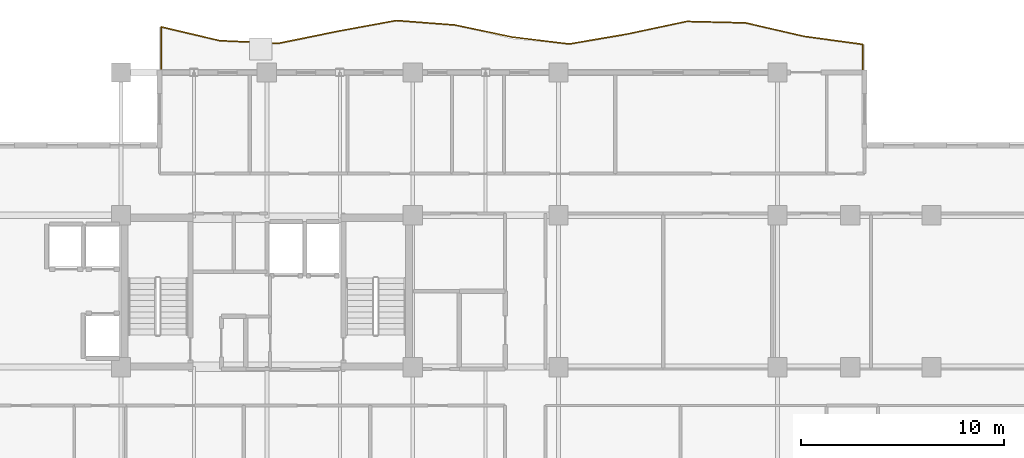
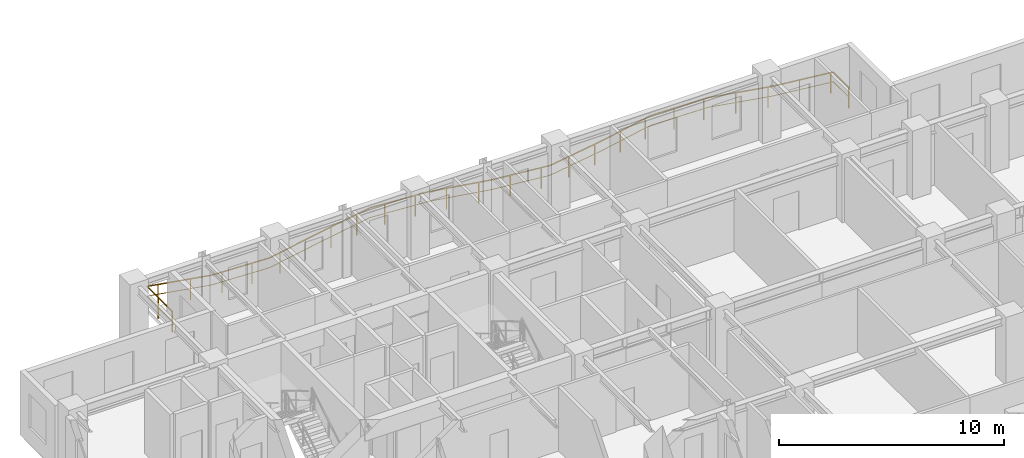
# One storey, part 13 of 13: 1 railing.
"""IFC4 building model written with IfcOpenShell, lengths in metres."""

from ifc_helpers import new_model, si_unit, direction, frame, origin, origin_2d, place, context, subcontext, project, spatial, rectangle, extrude, material, type_object, element, save


model = new_model("IFC4")

# Units and contexts
model_context = context("Model", 3, precision=1e-05, world=origin(), true_north=direction((0.0, 1.0)))
body_context = subcontext(model_context, "Body", "Model", "MODEL_VIEW")
ifc_project = project(units=[si_unit("LENGTHUNIT", "METRE"), si_unit("AREAUNIT", "SQUARE_METRE"), si_unit("VOLUMEUNIT", "CUBIC_METRE"), si_unit("PLANEANGLEUNIT", "RADIAN"), si_unit("MASSUNIT", "GRAM", prefix="KILO")], contexts=[model_context])

# Site, building, storey
site_placement = place(None, origin())
site = spatial("IfcSite", under=ifc_project, at=site_placement, CompositionType="ELEMENT")
building_placement = place(site_placement, origin())
building = spatial("IfcBuilding", under=site, at=building_placement, Name="Kaliganga Portal Commons", CompositionType="ELEMENT")
storey_placement = place(building_placement, frame((0.0, 0.0, 224.0)))
storey = spatial("IfcBuildingStorey", under=building, at=storey_placement, Name="L57", CompositionType="ELEMENT", Elevation=224.0)

# Railing
ifc_material = material(Name="Laminated Safety Glass and Stainless Steel 316", Category="steel")
railing_type = type_object("IfcRailingType", Name="RLG-BAL-1150", PredefinedType="BALUSTRADE", material=ifc_material)
railing_placement = place(storey_placement, frame((51.0205078125, 43.207763671875, 0.0)))
element("IfcRailing", 1, at=railing_placement, inside=storey, type_object=railing_type, Name="Balcony Guardrail L57 balc_north", PredefinedType="BALUSTRADE", context=body_context, shape_type="SweptSolid", body=[
    extrude(rectangle(XDim=0.048095703125, YDim=0.048095703125, at=origin_2d()), frame((0.0, 0.0, 1.1259765625), z_axis=(-0.000354924556, 0.999999937014, 0.0), x_axis=(-0.999999937014, -0.000354924556, 0.0)), (0.0, 0.0, 1.0), 1.375732421875),
    extrude(rectangle(XDim=0.028076171875, YDim=0.028076171875, at=origin_2d()), frame((0.0, 0.0, 0.597900390625), z_axis=(-0.000354924556, 0.999999937014, 0.0), x_axis=(-0.999999937014, -0.000354924556, 0.0)), (0.0, 0.0, 1.0), 1.375732421875),
    extrude(rectangle(XDim=0.048095703125, YDim=0.048095703125, at=origin_2d()), frame((-0.00048828125, 1.375732421875, 1.1259765625), z_axis=(-0.99086060041, 0.134889846006, 0.0), x_axis=(-0.134889846006, -0.99086060041, 0.0)), (0.0, 0.0, 1.0), 2.9267578125),
    extrude(rectangle(XDim=0.028076171875, YDim=0.028076171875, at=origin_2d()), frame((-0.00048828125, 1.375732421875, 0.597900390625), z_axis=(-0.99086060041, 0.134889846006, 0.0), x_axis=(-0.134889846006, -0.99086060041, 0.0)), (0.0, 0.0, 1.0), 2.9267578125),
    extrude(rectangle(XDim=0.048095703125, YDim=0.048095703125, at=origin_2d()), frame((-2.900390625, 1.7705078125, 1.1259765625), z_axis=(-0.974446472687, 0.224619838543, 0.0), x_axis=(-0.224619838543, -0.974446472687, 0.0)), (0.0, 0.0, 1.0), 2.975830078125),
    extrude(rectangle(XDim=0.028076171875, YDim=0.028076171875, at=origin_2d()), frame((-2.900390625, 1.7705078125, 0.597900390625), z_axis=(-0.974446472687, 0.224619838543, 0.0), x_axis=(-0.224619838543, -0.974446472687, 0.0)), (0.0, 0.0, 1.0), 2.975830078125),
    extrude(rectangle(XDim=0.048095703125, YDim=0.048095703125, at=origin_2d()), frame((-5.80029296875, 2.43896484375, 1.1259765625), z_axis=(-0.999706183013, 0.02423938211, 0.0), x_axis=(-0.02423938211, -0.999706183013, 0.0)), (0.0, 0.0, 1.0), 2.900634765625),
    extrude(rectangle(XDim=0.028076171875, YDim=0.028076171875, at=origin_2d()), frame((-5.80029296875, 2.43896484375, 0.597900390625), z_axis=(-0.999706183013, 0.02423938211, 0.0), x_axis=(-0.02423938211, -0.999706183013, 0.0)), (0.0, 0.0, 1.0), 2.900634765625),
    extrude(rectangle(XDim=0.048095703125, YDim=0.048095703125, at=origin_2d()), frame((-8.7001953125, 2.50927734375, 1.1259765625), z_axis=(-0.978046340269, -0.208387514708, 0.0), x_axis=(0.208387514708, -0.978046340269, 0.0)), (0.0, 0.0, 1.0), 2.96533203125),
    extrude(rectangle(XDim=0.028076171875, YDim=0.028076171875, at=origin_2d()), frame((-8.7001953125, 2.50927734375, 0.597900390625), z_axis=(-0.978046340269, -0.208387514708, 0.0), x_axis=(0.208387514708, -0.978046340269, 0.0)), (0.0, 0.0, 1.0), 2.96533203125),
    extrude(rectangle(XDim=0.048095703125, YDim=0.048095703125, at=origin_2d()), frame((-11.600341796875, 1.891357421875, 1.1259765625), z_axis=(-0.985692065133, -0.168556081863, 0.0), x_axis=(0.168556081863, -0.985692065133, 0.0)), (0.0, 0.0, 1.0), 2.941650390625),
    extrude(rectangle(XDim=0.028076171875, YDim=0.028076171875, at=origin_2d()), frame((-11.600341796875, 1.891357421875, 0.597900390625), z_axis=(-0.985692065133, -0.168556081863, 0.0), x_axis=(0.168556081863, -0.985692065133, 0.0)), (0.0, 0.0, 1.0), 2.941650390625),
    extrude(rectangle(XDim=0.048095703125, YDim=0.048095703125, at=origin_2d()), frame((-14.5, 1.3955078125, 1.1259765625), z_axis=(-0.992758024655, 0.120131196959, 0.0), x_axis=(-0.120131196959, -0.992758024655, 0.0)), (0.0, 0.0, 1.0), 2.841064453125),
    extrude(rectangle(XDim=0.028076171875, YDim=0.028076171875, at=origin_2d()), frame((-14.5, 1.3955078125, 0.597900390625), z_axis=(-0.992758024655, 0.120131196959, 0.0), x_axis=(-0.120131196959, -0.992758024655, 0.0)), (0.0, 0.0, 1.0), 2.841064453125),
    extrude(rectangle(XDim=0.048095703125, YDim=0.048095703125, at=origin_2d()), frame((-17.320556640625, 1.73681640625, 1.1259765625), z_axis=(-0.978386930141, 0.206782530525, 0.0), x_axis=(-0.206782530525, -0.978386930141, 0.0)), (0.0, 0.0, 1.0), 2.88427734375),
    extrude(rectangle(XDim=0.028076171875, YDim=0.028076171875, at=origin_2d()), frame((-17.320556640625, 1.73681640625, 0.597900390625), z_axis=(-0.978386930141, 0.206782530525, 0.0), x_axis=(-0.206782530525, -0.978386930141, 0.0)), (0.0, 0.0, 1.0), 2.88427734375),
    extrude(rectangle(XDim=0.048095703125, YDim=0.048095703125, at=origin_2d()), frame((-20.142578125, 2.333251953125, 1.1259765625), z_axis=(-0.99710808201, 0.075996531432, 0.0), x_axis=(-0.075996531432, -0.99710808201, 0.0)), (0.0, 0.0, 1.0), 2.9072265625),
    extrude(rectangle(XDim=0.028076171875, YDim=0.028076171875, at=origin_2d()), frame((-20.142578125, 2.333251953125, 0.597900390625), z_axis=(-0.99710808201, 0.075996531432, 0.0), x_axis=(-0.075996531432, -0.99710808201, 0.0)), (0.0, 0.0, 1.0), 2.9072265625),
    extrude(rectangle(XDim=0.048095703125, YDim=0.048095703125, at=origin_2d()), frame((-23.04150390625, 2.55419921875, 1.1259765625), z_axis=(-0.983342354435, -0.181763070988, 0.0), x_axis=(0.181763070988, -0.983342354435, 0.0)), (0.0, 0.0, 1.0), 2.9482421875),
    extrude(rectangle(XDim=0.028076171875, YDim=0.028076171875, at=origin_2d()), frame((-23.04150390625, 2.55419921875, 0.597900390625), z_axis=(-0.983342354435, -0.181763070988, 0.0), x_axis=(0.181763070988, -0.983342354435, 0.0)), (0.0, 0.0, 1.0), 2.9482421875),
    extrude(rectangle(XDim=0.048095703125, YDim=0.048095703125, at=origin_2d()), frame((-25.940673828125, 2.018310546875, 1.1259765625), z_axis=(-0.979950588379, -0.199240669383, 0.0), x_axis=(0.199240669383, -0.979950588379, 0.0)), (0.0, 0.0, 1.0), 2.959228515625),
    extrude(rectangle(XDim=0.028076171875, YDim=0.028076171875, at=origin_2d()), frame((-25.940673828125, 2.018310546875, 0.597900390625), z_axis=(-0.979950588379, -0.199240669383, 0.0), x_axis=(0.199240669383, -0.979950588379, 0.0)), (0.0, 0.0, 1.0), 2.959228515625),
    extrude(rectangle(XDim=0.048095703125, YDim=0.048095703125, at=origin_2d()), frame((-28.840576171875, 1.4287109375, 1.1259765625), z_axis=(-0.99900974, 0.044492014856, 0.0), x_axis=(-0.044492014856, -0.99900974, 0.0)), (0.0, 0.0, 1.0), 2.90283203125),
    extrude(rectangle(XDim=0.028076171875, YDim=0.028076171875, at=origin_2d()), frame((-28.840576171875, 1.4287109375, 0.597900390625), z_axis=(-0.99900974, 0.044492014856, 0.0), x_axis=(-0.044492014856, -0.99900974, 0.0)), (0.0, 0.0, 1.0), 2.90283203125),
    extrude(rectangle(XDim=0.048095703125, YDim=0.048095703125, at=origin_2d()), frame((-31.740478515625, 1.557861328125, 1.1259765625), z_axis=(-0.973436509491, 0.228957118235, 0.0), x_axis=(-0.228957118235, -0.973436509491, 0.0)), (0.0, 0.0, 1.0), 2.979248046875),
    extrude(rectangle(XDim=0.028076171875, YDim=0.028076171875, at=origin_2d()), frame((-31.740478515625, 1.557861328125, 0.597900390625), z_axis=(-0.973436509491, 0.228957118235, 0.0), x_axis=(-0.228957118235, -0.973436509491, 0.0)), (0.0, 0.0, 1.0), 2.979248046875),
    extrude(rectangle(XDim=0.048095703125, YDim=0.048095703125, at=origin_2d()), frame((-34.640625, 2.239990234375, 1.1259765625), z_axis=(-0.000108991825, -0.99999999406, 0.0), x_axis=(0.99999999406, -0.000108991825, 0.0)), (0.0, 0.0, 1.0), 2.239990234375),
    extrude(rectangle(XDim=0.028076171875, YDim=0.028076171875, at=origin_2d()), frame((-34.640625, 2.239990234375, 0.597900390625), z_axis=(-0.000108991825, -0.99999999406, 0.0), x_axis=(0.99999999406, -0.000108991825, 0.0)), (0.0, 0.0, 1.0), 2.239990234375),
    extrude(rectangle(XDim=0.0419921875, YDim=0.0419921875, at=origin_2d()), origin(), (0.0, 0.0, 1.0), 1.101806640625),
    extrude(rectangle(XDim=0.0419921875, YDim=0.0419921875, at=origin_2d()), frame((-0.12353515625, 1.392578125, 0.0)), (0.0, 0.0, 1.0), 1.101806640625),
    extrude(rectangle(XDim=0.0419921875, YDim=0.0419921875, at=origin_2d()), frame((-1.60986328125, 1.5947265625, 0.0)), (0.0, 0.0, 1.0), 1.101806640625),
    extrude(rectangle(XDim=0.0419921875, YDim=0.0419921875, at=origin_2d()), frame((-3.093017578125, 1.81494140625, 0.0)), (0.0, 0.0, 1.0), 1.101806640625),
    extrude(rectangle(XDim=0.0419921875, YDim=0.0419921875, at=origin_2d()), frame((-4.5546875, 2.15185546875, 0.0)), (0.0, 0.0, 1.0), 1.101806640625),
    extrude(rectangle(XDim=0.0419921875, YDim=0.0419921875, at=origin_2d()), frame((-6.02197265625, 2.4443359375, 0.0)), (0.0, 0.0, 1.0), 1.101806640625),
    extrude(rectangle(XDim=0.0419921875, YDim=0.0419921875, at=origin_2d()), frame((-7.521484375, 2.480712890625, 0.0)), (0.0, 0.0, 1.0), 1.101806640625),
    extrude(rectangle(XDim=0.0419921875, YDim=0.0419921875, at=origin_2d()), frame((-9.01416015625, 2.4423828125, 0.0)), (0.0, 0.0, 1.0), 1.101806640625),
    extrude(rectangle(XDim=0.0419921875, YDim=0.0419921875, at=origin_2d()), frame((-10.481201171875, 2.1298828125, 0.0)), (0.0, 0.0, 1.0), 1.101806640625),
    extrude(rectangle(XDim=0.0419921875, YDim=0.0419921875, at=origin_2d()), frame((-11.950927734375, 1.831298828125, 0.0)), (0.0, 0.0, 1.0), 1.101806640625),
    extrude(rectangle(XDim=0.0419921875, YDim=0.0419921875, at=origin_2d()), frame((-13.429443359375, 1.57861328125, 0.0)), (0.0, 0.0, 1.0), 1.101806640625),
    extrude(rectangle(XDim=0.0419921875, YDim=0.0419921875, at=origin_2d()), frame((-14.910888671875, 1.4453125, 0.0)), (0.0, 0.0, 1.0), 1.101806640625),
    extrude(rectangle(XDim=0.0419921875, YDim=0.0419921875, at=origin_2d()), frame((-16.400146484375, 1.62548828125, 0.0)), (0.0, 0.0, 1.0), 1.101806640625),
    extrude(rectangle(XDim=0.0419921875, YDim=0.0419921875, at=origin_2d()), frame((-17.880859375, 1.855224609375, 0.0)), (0.0, 0.0, 1.0), 1.101806640625),
    extrude(rectangle(XDim=0.0419921875, YDim=0.0419921875, at=origin_2d()), frame((-19.3486328125, 2.16552734375, 0.0)), (0.0, 0.0, 1.0), 1.101806640625),
    extrude(rectangle(XDim=0.0419921875, YDim=0.0419921875, at=origin_2d()), frame((-20.8291015625, 2.385498046875, 0.0)), (0.0, 0.0, 1.0), 1.101806640625),
    extrude(rectangle(XDim=0.0419921875, YDim=0.0419921875, at=origin_2d()), frame((-22.32470703125, 2.49951171875, 0.0)), (0.0, 0.0, 1.0), 1.101806640625),
    extrude(rectangle(XDim=0.0419921875, YDim=0.0419921875, at=origin_2d()), frame((-23.8095703125, 2.412109375, 0.0)), (0.0, 0.0, 1.0), 1.101806640625),
    extrude(rectangle(XDim=0.0419921875, YDim=0.0419921875, at=origin_2d()), frame((-25.28466796875, 2.1396484375, 0.0)), (0.0, 0.0, 1.0), 1.101806640625),
    extrude(rectangle(XDim=0.0419921875, YDim=0.0419921875, at=origin_2d()), frame((-26.7568359375, 1.852294921875, 0.0)), (0.0, 0.0, 1.0), 1.101806640625),
    extrude(rectangle(XDim=0.0419921875, YDim=0.0419921875, at=origin_2d()), frame((-28.226806640625, 1.553466796875, 0.0)), (0.0, 0.0, 1.0), 1.101806640625),
    extrude(rectangle(XDim=0.0419921875, YDim=0.0419921875, at=origin_2d()), frame((-29.71337890625, 1.467529296875, 0.0)), (0.0, 0.0, 1.0), 1.101806640625),
    extrude(rectangle(XDim=0.0419921875, YDim=0.0419921875, at=origin_2d()), frame((-31.2119140625, 1.534423828125, 0.0)), (0.0, 0.0, 1.0), 1.101806640625),
    extrude(rectangle(XDim=0.0419921875, YDim=0.0419921875, at=origin_2d()), frame((-32.685546875, 1.780029296875, 0.0)), (0.0, 0.0, 1.0), 1.101806640625),
    extrude(rectangle(XDim=0.0419921875, YDim=0.0419921875, at=origin_2d()), frame((-34.145751953125, 2.12353515625, 0.0)), (0.0, 0.0, 1.0), 1.101806640625),
    extrude(rectangle(XDim=0.0419921875, YDim=0.0419921875, at=origin_2d()), frame((-34.640625, 1.24853515625, 0.0)), (0.0, 0.0, 1.0), 1.101806640625),
    extrude(rectangle(XDim=0.0419921875, YDim=0.0419921875, at=origin_2d()), frame((-34.640869140625, 0.0, 0.0)), (0.0, 0.0, 1.0), 1.101806640625),
])

save(model, "model.ifc")
